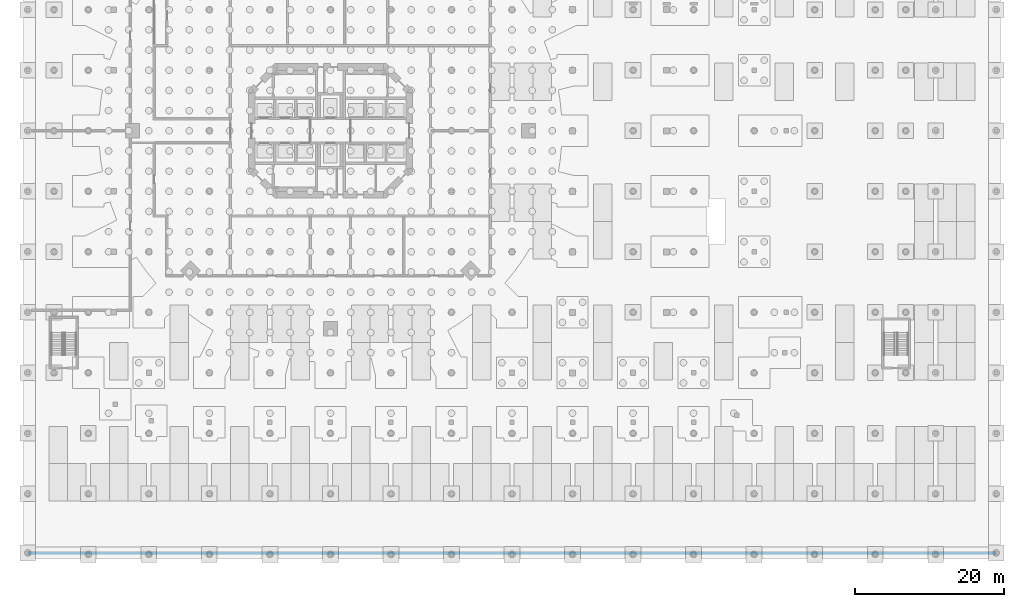
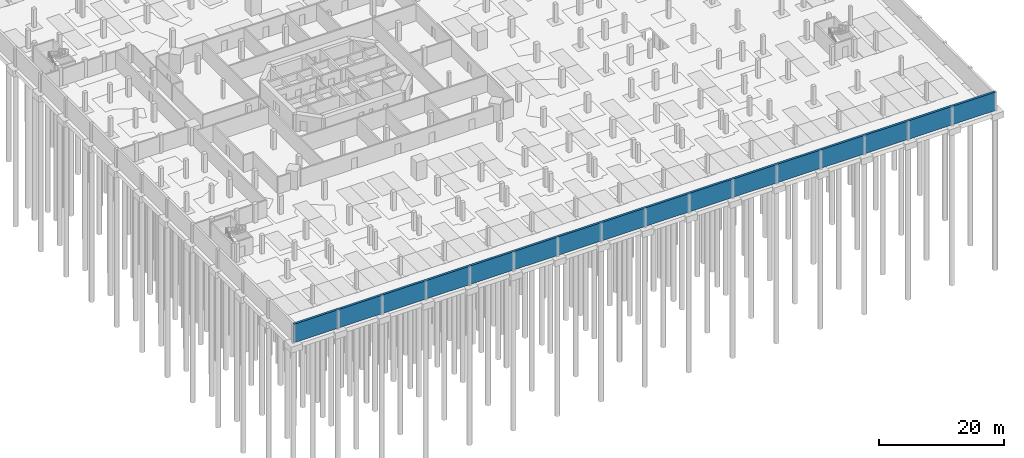
# One storey, part 15 of 23: 1 wall.
"""IFC4 building model written with IfcOpenShell, lengths in metres."""

from ifc_helpers import new_model, si_unit, direction, frame, frame_2d, origin, place, context, subcontext, project, spatial, rectangle, extrude, material, layer, layer_set, type_object, element, save


model = new_model("IFC4")

# Units and contexts
model_context = context("Model", 3, precision=1e-05, world=origin(), true_north=direction((0.0, 1.0)))
body_context = subcontext(model_context, "Body", "Model", "MODEL_VIEW")
ifc_project = project(units=[si_unit("LENGTHUNIT", "METRE"), si_unit("AREAUNIT", "SQUARE_METRE"), si_unit("VOLUMEUNIT", "CUBIC_METRE"), si_unit("PLANEANGLEUNIT", "RADIAN"), si_unit("MASSUNIT", "GRAM", prefix="KILO")], contexts=[model_context])

# Site, building, storey
site_placement = place(None, origin())
site = spatial("IfcSite", under=ifc_project, at=site_placement, CompositionType="ELEMENT")
building_placement = place(site_placement, origin())
building = spatial("IfcBuilding", under=site, at=building_placement, Name="Torre Triforio", CompositionType="ELEMENT")
storey_placement = place(building_placement, frame((0.0, 0.0, -10.800048828125)))
storey = spatial("IfcBuildingStorey", under=building, at=storey_placement, Name="B3", CompositionType="ELEMENT", Elevation=-10.800048828125)

# Wall
ifc_material = material(Name="Concrete C40", Category="concrete")
ifc_layer = layer(ifc_material, 0.39990234375)
ifc_layer_set = layer_set([ifc_layer], Name="Concrete C40")
wall_type = type_object("IfcWallType", Name="Retaining wall 400 C40", PredefinedType="SOLIDWALL", material=ifc_layer_set)
wall_placement = place(storey_placement, frame((-40.5, -56.5, 0.0), z_axis=(0.0, 0.0, 1.0), x_axis=(1.0, 0.0, 0.0)))
element("IfcWall", 1, at=wall_placement, inside=storey, type_object=wall_type, Name="WL.RET.B3.S", PredefinedType="SOLIDWALL", context=body_context, shape_type="SweptSolid", body=[
    extrude(rectangle(XDim=129.60009765625, YDim=0.39990234375, at=frame_2d((64.800048828125, 0.0))), origin(), (0.0, 0.0, 1.0), 3.60009765625),
])

save(model, "model.ifc")
